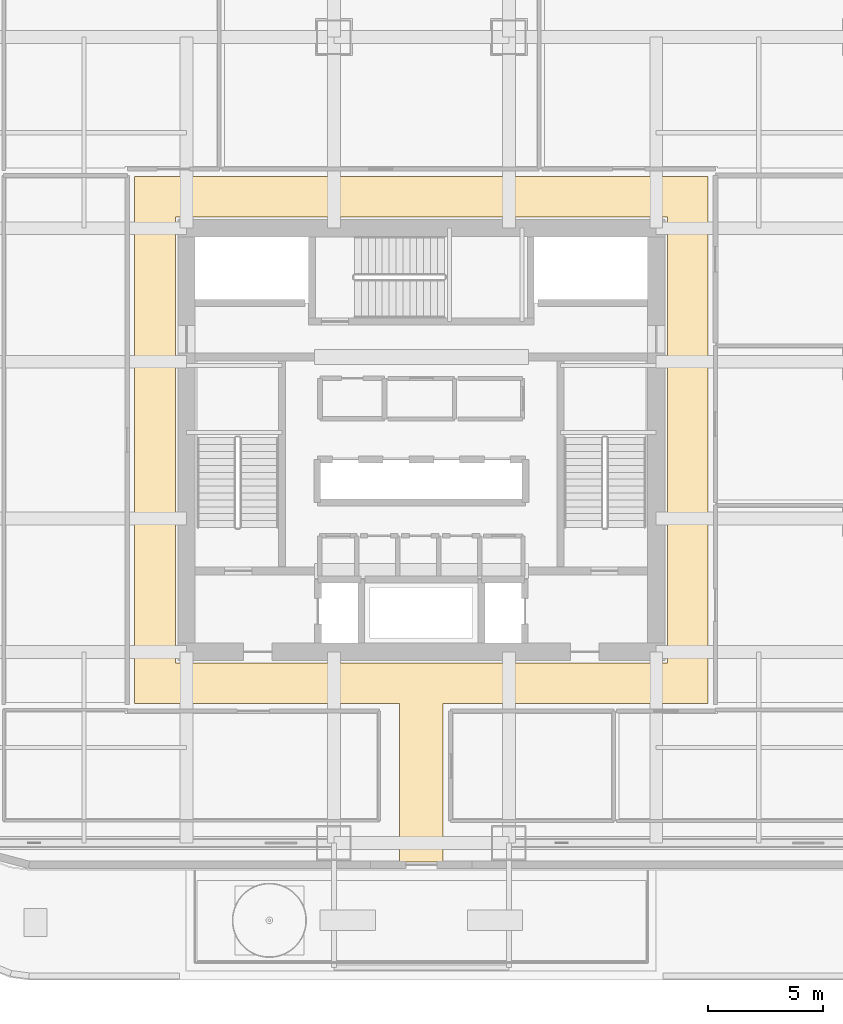
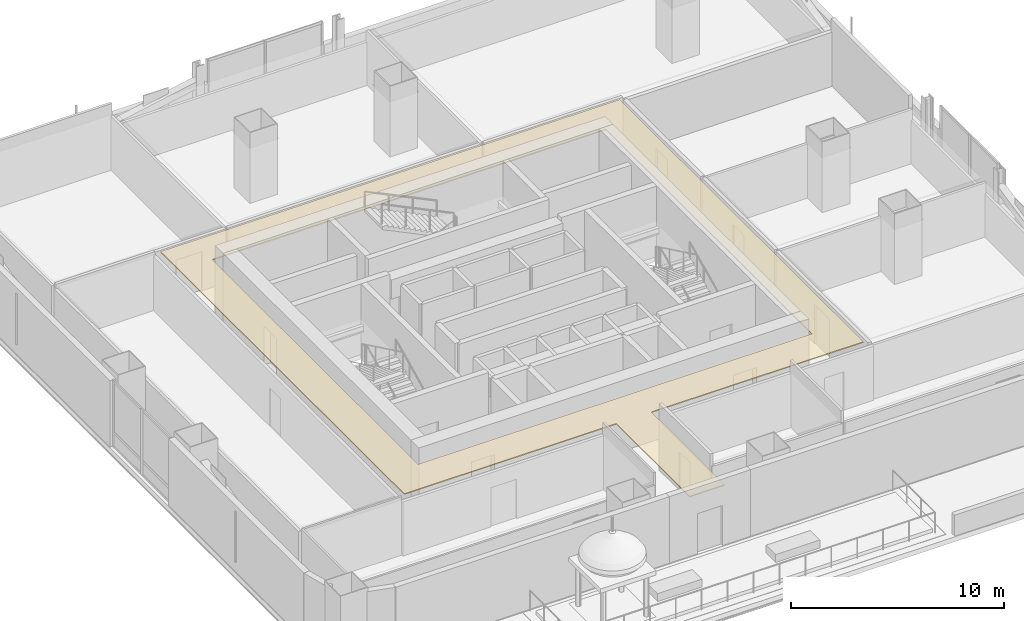
# One storey, part 20 of 28: 1 covering.
"""IFC4 building model written with IfcOpenShell, lengths in metres."""

from ifc_helpers import new_model, si_unit, direction, frame, origin, place, context, subcontext, project, spatial, polyline, outline, extrude, material, layer, layer_set, type_object, element, save


model = new_model("IFC4")

# Units and contexts
model_context = context("Model", 3, precision=1e-05, world=origin(), true_north=direction((0.0, 1.0)))
body_context = subcontext(model_context, "Body", "Model", "MODEL_VIEW")
ifc_project = project(units=[si_unit("LENGTHUNIT", "METRE"), si_unit("AREAUNIT", "SQUARE_METRE"), si_unit("VOLUMEUNIT", "CUBIC_METRE"), si_unit("PLANEANGLEUNIT", "RADIAN"), si_unit("MASSUNIT", "GRAM", prefix="KILO")], contexts=[model_context])

# Site, building, storey
site_placement = place(None, origin())
site = spatial("IfcSite", under=ifc_project, at=site_placement, CompositionType="ELEMENT")
building_placement = place(site_placement, origin())
building = spatial("IfcBuilding", under=site, at=building_placement, Name="Punatoya Terracotta Tower", CompositionType="ELEMENT")
storey_placement = place(building_placement, frame((0.0, 0.0, 93.0)))
storey = spatial("IfcBuildingStorey", under=building, at=storey_placement, Name="L21", CompositionType="ELEMENT", Elevation=93.0)

# Covering
ifc_material = material(Name="Acoustic Mineral Fibre Ceiling")
ifc_layer = layer(ifc_material, 0.06005859375)
ifc_layer_set = layer_set([ifc_layer], Name="Acoustic Mineral Fibre Ceiling")
covering_type = type_object("IfcCoveringType", Name="COV-CEIL-60", PredefinedType="CEILING", material=ifc_layer_set)
covering_placement = place(storey_placement, frame((0.0, 0.0, 3.159912109375)))
element("IfcCovering", 1, at=covering_placement, inside=storey, type_object=covering_type, Name="L21 Ring Circulation Corridor Acoustic Ceiling", PredefinedType="CEILING", context=body_context, shape_type="SweptSolid", body=[
    extrude(outline(polyline([(12.449951171875, -11.449951171875), (12.449951171875, 11.449951171875), (-12.449951171875, 11.449951171875), (-12.449951171875, -11.449951171875), (-0.949951171875, -11.449951171875), (-0.949951171875, -18.330078125), (0.949951171875, -18.330078125), (0.949951171875, -11.449951171875), (12.449951171875, -11.449951171875)]), holes=[polyline([(10.679931640625, -9.679931640625), (-10.679931640625, -9.679931640625), (-10.679931640625, 9.679931640625), (10.679931640625, 9.679931640625), (10.679931640625, -9.679931640625)])]), origin(), (0.0, 0.0, 1.0), 0.06005859375),
])

save(model, "model.ifc")
